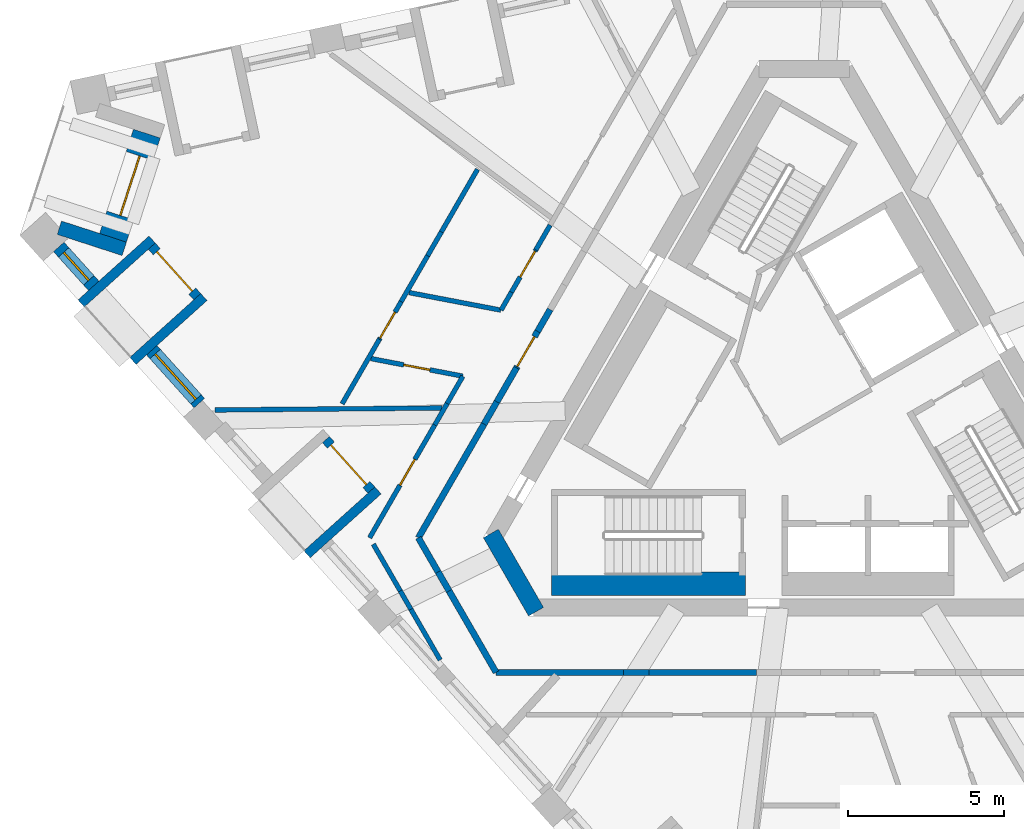
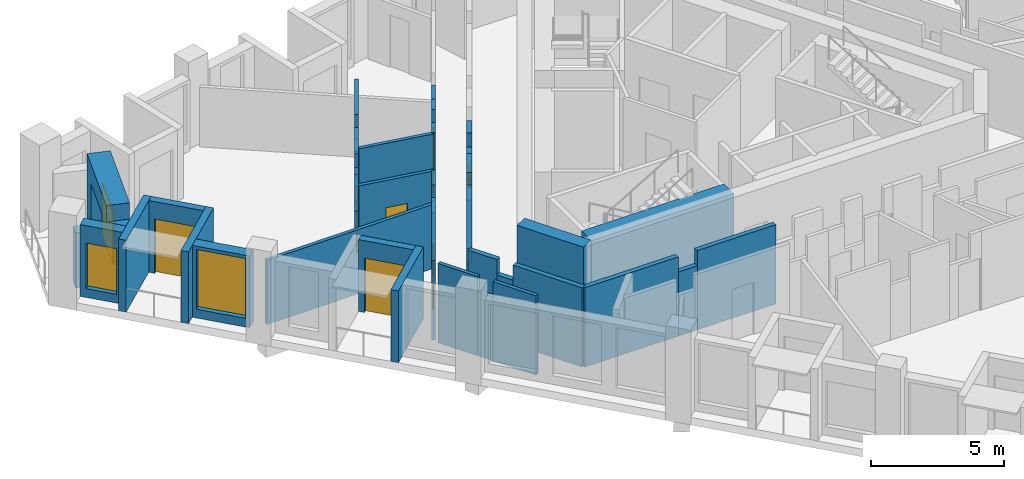
# One storey, part 3 of 12: 39 walls, 8 doors, 2 windows, 10 openings.
"""IFC4 building model written with IfcOpenShell, lengths in metres."""

from ifc_helpers import new_model, si_unit, direction, frame, frame_2d, origin, place, context, subcontext, project, spatial, polyline, rectangle, outline, extrude, material, layer, layer_set, type_object, element, fill, save


model = new_model("IFC4")

# Units and contexts
model_context = context("Model", 3, precision=1e-05, world=origin(), true_north=direction((0.0, 1.0)))
body_context = subcontext(model_context, "Body", "Model", "MODEL_VIEW")
ifc_project = project(units=[si_unit("LENGTHUNIT", "METRE"), si_unit("AREAUNIT", "SQUARE_METRE"), si_unit("VOLUMEUNIT", "CUBIC_METRE"), si_unit("PLANEANGLEUNIT", "RADIAN"), si_unit("MASSUNIT", "GRAM", prefix="KILO")], contexts=[model_context])

# Site, building, storey
site_placement = place(None, origin())
site = spatial("IfcSite", under=ifc_project, at=site_placement, CompositionType="ELEMENT")
building_placement = place(site_placement, origin())
building = spatial("IfcBuilding", under=site, at=building_placement, Name="Tramontana Tower", CompositionType="ELEMENT")
storey_placement = place(building_placement, frame((0.0, 0.0, 320.39990234375)))
storey = spatial("IfcBuildingStorey", under=building, at=storey_placement, Name="L73", CompositionType="ELEMENT", Elevation=320.39990234375)

# Walls
ifc_material_1 = material(Name="Concrete 70 MPa", Category="concrete")
ifc_layer_1 = layer(ifc_material_1, 0.550048828125)
ifc_layer_set_1 = layer_set([ifc_layer_1], Name="Core wall 550 70 MPa")
wall_type_1 = type_object("IfcWallType", Name="Core wall 550 70 MPa", PredefinedType="SHEAR", material=ifc_layer_set_1)
wall_1_placement = place(storey_placement, frame((-10.009765625, -4.112548828125, 0.0), z_axis=(0.0, 0.0, 1.0), x_axis=(0.499995765644, -0.866027848477, 0.0)))
element("IfcWall", 1, at=wall_1_placement, inside=storey, type_object=wall_type_1, Name="Core wall C2 L73", PredefinedType="SHEAR", context=body_context, shape_type="SweptSolid", body=[
    extrude(rectangle(XDim=2.88671875, YDim=0.550048828125, at=frame_2d((1.443359375, 0.0))), origin(), (0.0, 0.0, 1.0), 4.0),
])
ifc_material_2 = material(Name="Blockwork", Category="masonry")
ifc_layer_2 = layer(ifc_material_2, 0.199951171875)
ifc_layer_set_2 = layer_set([ifc_layer_2], Name="ENTRY WALL 200")
wall_type_2 = type_object("IfcWallType", Name="ENTRY WALL 200", PredefinedType="SOLIDWALL", material=ifc_layer_set_2)
wall_2_placement = place(storey_placement, frame((-1.528564453125, -8.550048828125, 0.0), z_axis=(0.0, 0.0, 1.0), x_axis=(-1.0, 0.0, 0.0)))
element("IfcWall", 2, at=wall_2_placement, inside=storey, type_object=wall_type_2, Name="Wall v80-ew1-8", PredefinedType="SOLIDWALL", context=body_context, shape_type="SweptSolid", body=[
    extrude(rectangle(XDim=3.423095703125, YDim=0.199951171875, at=frame_2d((1.71142578125, 0.0))), origin(), (0.0, 0.0, 1.0), 3.650146484375),
])
wall_3_placement = place(storey_placement, frame((-4.95166015625, -8.550048828125, 0.0), z_axis=(0.0, 0.0, 1.0), x_axis=(-1.0, 0.0, 0.0)))
element("IfcWall", 3, at=wall_3_placement, inside=storey, type_object=wall_type_2, Name="Wall v80-ew1-9", PredefinedType="SOLIDWALL", context=body_context, shape_type="SweptSolid", body=[
    extrude(rectangle(XDim=0.826416015625, YDim=0.199951171875, at=frame_2d((0.4130859375, 0.0))), origin(), (0.0, 0.0, 1.0), 2.9501953125),
])
wall_4_placement = place(storey_placement, frame((-5.778076171875, -8.550048828125, 0.0), z_axis=(0.0, 0.0, 1.0), x_axis=(-1.0, 0.0, 0.0)))
element("IfcWall", 4, at=wall_4_placement, inside=storey, type_object=wall_type_2, Name="Wall v80-ew1-10", PredefinedType="SOLIDWALL", context=body_context, shape_type="SweptSolid", body=[
    extrude(rectangle(XDim=4.065673828125, YDim=0.199951171875, at=frame_2d((2.03271484375, 0.0))), origin(), (0.0, 0.0, 1.0), 3.650146484375),
])
wall_5_placement = place(storey_placement, frame((-9.84375, -8.550048828125, 0.0), z_axis=(0.0, 0.0, 1.0), x_axis=(-0.500003959331, 0.866023117852, 0.0)))
element("IfcWall", 5, at=wall_5_placement, inside=storey, type_object=wall_type_2, Name="Wall v80-ew2-0", PredefinedType="SOLIDWALL", context=body_context, shape_type="SweptSolid", body=[
    extrude(rectangle(XDim=3.0029296875, YDim=0.199951171875, at=frame_2d((1.50146484375, 0.0))), origin(), (0.0, 0.0, 1.0), 3.650146484375),
])
wall_6_placement = place(storey_placement, frame((-11.34521484375, -5.949462890625, 0.0), z_axis=(0.0, 0.0, 1.0), x_axis=(-0.499993523031, 0.866029143232, 0.0)))
element("IfcWall", 6, at=wall_6_placement, inside=storey, type_object=wall_type_2, Name="Wall v80-ew2-1", PredefinedType="SOLIDWALL", context=body_context, shape_type="SweptSolid", body=[
    extrude(rectangle(XDim=0.70166015625, YDim=0.199951171875, at=frame_2d((0.350830078125, 0.0))), origin(), (0.0, 0.0, 1.0), 2.9501953125),
])
wall_7_placement = place(storey_placement, frame((-11.696044921875, -5.341796875, 0.0), z_axis=(0.0, 0.0, 1.0), x_axis=(-0.500013012896, 0.866017890655, 0.0)))
element("IfcWall", 7, at=wall_7_placement, inside=storey, type_object=wall_type_2, Name="Wall v80-ew2-2", PredefinedType="SOLIDWALL", context=body_context, shape_type="SweptSolid", body=[
    extrude(rectangle(XDim=1.2607421875, YDim=0.199951171875, at=frame_2d((0.63037109375, 0.0))), origin(), (0.0, 0.0, 1.0), 3.650146484375),
])
wall_8_placement = place(storey_placement, frame((-12.326416015625, -4.25, 0.0), z_axis=(0.0, 0.0, 1.0), x_axis=(0.499982771656, 0.866035350345, 0.0)))
element("IfcWall", 8, at=wall_8_placement, inside=storey, type_object=wall_type_2, Name="Wall v80-ew3-0", PredefinedType="SOLIDWALL", context=body_context, shape_type="SweptSolid", body=[
    extrude(rectangle(XDim=4.194580078125, YDim=0.199951171875, at=frame_2d((2.09716796875, 0.0))), origin(), (0.0, 0.0, 1.0), 3.650146484375),
])
wall_9_placement = place(storey_placement, frame((-10.229248046875, -0.617431640625, 0.0), z_axis=(0.0, 0.0, 1.0), x_axis=(0.5001686003, 0.865928040471, 0.0)))
element("IfcWall", 9, at=wall_9_placement, inside=storey, type_object=wall_type_2, Name="Wall v80-ew3-1", PredefinedType="SOLIDWALL", context=body_context, shape_type="SweptSolid", body=[
    extrude(rectangle(XDim=0.821044921875, YDim=0.199951171875, at=frame_2d((0.41064453125, 0.0))), origin(), (0.0, 0.0, 1.0), 2.9501953125),
])
wall_10_placement = place(storey_placement, frame((-9.818603515625, 0.093505859375, 0.0), z_axis=(0.0, 0.0, 1.0), x_axis=(0.499969537666, 0.866042990507, 0.0)))
element("IfcWall", 10, at=wall_10_placement, inside=storey, type_object=wall_type_2, Name="Wall v80-ew3-2", PredefinedType="SOLIDWALL", context=body_context, shape_type="SweptSolid", body=[
    extrude(rectangle(XDim=1.25439453125, YDim=0.199951171875, at=frame_2d((0.627197265625, 0.0))), origin(), (0.0, 0.0, 1.0), 3.650146484375),
])

# Wall, opening, door
wall_11_placement = place(storey_placement, frame((-9.19140625, 1.179931640625, 0.0), z_axis=(0.0, 0.0, 1.0), x_axis=(0.500005339912, 0.866022320763, 0.0)))
wall_11 = element("IfcWall", 11, at=wall_11_placement, inside=storey, type_object=wall_type_2, Name="Wall v80-ew3-3", PredefinedType="SOLIDWALL", context=body_context, shape_type="SweptSolid", body=[
    extrude(outline(polyline([(0.0, 0.0), (1.3447265625, 0.0), (1.3447265625, 2.550048828125), (0.40087890625, 2.550048828125), (0.40087890625, 3.650146484375), (0.0, 3.650146484375), (0.0, 0.0)])), frame((0.0, 0.10009765625, 0.0), z_axis=(0.0, -1.0, 0.0), x_axis=(1.0, 0.0, 0.0)), (0.0, 0.0, 1.0), 0.199951171875),
])
opening_1_placement = place(wall_11_placement, frame((0.050048828125, 0.0, 0.0)))
opening_1 = element("IfcOpeningElement", 12, at=opening_1_placement, cuts=wall_11, Name="Opening B8A-19", PredefinedType="OPENING", context=body_context, shape_type="SweptSolid", body=[
    extrude(rectangle(XDim=1.10009765625, YDim=2.39990234375, at=frame_2d((0.550048828125, 1.199951171875))), frame((0.0, 0.10986328125, 0.0), z_axis=(0.0, -1.0, 0.0), x_axis=(1.0, 0.0, 0.0)), (0.0, 0.0, 1.0), 0.219970703125),
])
ifc_material_3 = material(Name="Painted timber", Category="wood")
door_type_1 = type_object("IfcDoorType", Name="DOOR ENTRY 1100", OperationType="SINGLE_SWING_LEFT", PredefinedType="DOOR", material=ifc_material_3)
door_1_placement = place(opening_1_placement, origin())
door_1 = element("IfcDoor", 13, at=door_1_placement, inside=storey, type_object=door_type_1, Name="Door B8A-19", OperationType="SINGLE_SWING_LEFT", OverallHeight=2.39990234375, OverallWidth=1.10009765625, PredefinedType="DOOR", context=body_context, shape_type="SweptSolid", body=[
    extrude(rectangle(XDim=1.10009765625, YDim=2.39990234375, at=frame_2d((0.550048828125, 1.199951171875))), frame((0.0, 0.02490234375, 0.0), z_axis=(0.0, -1.0, 0.0), x_axis=(1.0, 0.0, 0.0)), (0.0, 0.0, 1.0), 0.050048828125),
])
fill(opening_1, door_1)

# Wall
wall_12_placement = place(storey_placement, frame((-8.51904296875, 2.344482421875, 0.0), z_axis=(0.0, 0.0, 1.0), x_axis=(0.499914554297, 0.866074730264, 0.0)))
element("IfcWall", 14, at=wall_12_placement, inside=storey, type_object=wall_type_2, Name="Wall v80-ew3-4", PredefinedType="SOLIDWALL", context=body_context, shape_type="SweptSolid", body=[
    extrude(rectangle(XDim=0.806884765625, YDim=0.199951171875, at=frame_2d((0.4033203125, 0.0))), origin(), (0.0, 0.0, 1.0), 3.650146484375),
])

# Wall, opening, window
ifc_material_4 = material(Name="Precast concrete 60 MPa", Category="concrete")
ifc_layer_3 = layer(ifc_material_4, 0.449951171875)
ifc_layer_set_3 = layer_set([ifc_layer_3], Name="Precast concrete 60 MPa, 450 mm")
wall_type_3 = type_object("IfcWallType", Name="EW1 Stone-faced precast wall 450", PredefinedType="SOLIDWALL", material=ifc_layer_set_3)
wall_13_placement = place(storey_placement, frame((-23.817138671875, 5.043212890625, 0.0), z_axis=(0.0, 0.0, 1.0), x_axis=(0.669182609054, -0.743097998746, 0.0)))
wall_13 = element("IfcWall", 15, at=wall_13_placement, inside=storey, type_object=wall_type_3, Name="External wall L73 face 0 bay 1", PredefinedType="SOLIDWALL", context=body_context, shape_type="SweptSolid", body=[
    extrude(rectangle(XDim=1.67138671875, YDim=0.449951171875, at=frame_2d((0.835693359375, 0.0))), origin(), (0.0, 0.0, 1.0), 3.300048828125),
])
opening_2_placement = place(wall_13_placement, frame((0.235595703125, 0.0, 0.39990234375)))
opening_2 = element("IfcOpeningElement", 16, at=opening_2_placement, cuts=wall_13, Name="Opening N3L", PredefinedType="OPENING", context=body_context, shape_type="SweptSolid", body=[
    extrude(rectangle(XDim=1.199951171875, YDim=2.10009765625, at=frame_2d((0.60009765625, 1.050048828125))), frame((0.0, 0.23486328125, 0.0), z_axis=(0.0, -1.0, 0.0), x_axis=(1.0, 0.0, 0.0)), (0.0, 0.0, 1.0), 0.469970703125),
])
ifc_material_5 = material(Name="Aluminum frame, double glazing unit", Category="aluminium")
window_type_1 = type_object("IfcWindowType", Name="N3L Window 1.2 x 2.1", PartitioningType="SINGLE_PANEL", PredefinedType="WINDOW", material=ifc_material_5)
window_1_placement = place(opening_2_placement, origin())
window_1 = element("IfcWindow", 17, at=window_1_placement, inside=storey, type_object=window_type_1, Name="Window N3L L73 face 0 module 1", OverallHeight=2.10009765625, OverallWidth=1.199951171875, PartitioningType="SINGLE_PANEL", PredefinedType="WINDOW", context=body_context, shape_type="SweptSolid", body=[
    extrude(rectangle(XDim=1.199951171875, YDim=2.10009765625, at=frame_2d((0.60009765625, 1.050048828125))), frame((0.0, 0.030029296875, 0.0), z_axis=(0.0, -1.0, 0.0), x_axis=(1.0, 0.0, 0.0)), (0.0, 0.0, 1.0), 0.06005859375),
])
fill(opening_2, window_1)

wall_14_placement = place(storey_placement, frame((-20.844482421875, 1.74169921875, 0.0), z_axis=(0.0, 0.0, 1.0), x_axis=(0.669160694992, -0.743117732447, 0.0)))
wall_14 = element("IfcWall", 18, at=wall_14_placement, inside=storey, type_object=wall_type_3, Name="External wall L73 face 0 bay 1", PredefinedType="SOLIDWALL", context=body_context, shape_type="SweptSolid", body=[
    extrude(rectangle(XDim=2.271240234375, YDim=0.449951171875, at=frame_2d((1.1357421875, 0.0))), origin(), (0.0, 0.0, 1.0), 3.300048828125),
])
opening_3_placement = place(wall_14_placement, frame((0.16064453125, 0.0, 0.39990234375)))
opening_3 = element("IfcOpeningElement", 19, at=opening_3_placement, cuts=wall_14, Name="Opening M3", PredefinedType="OPENING", context=body_context, shape_type="SweptSolid", body=[
    extrude(rectangle(XDim=1.949951171875, YDim=2.75, at=frame_2d((0.97509765625, 1.375))), frame((0.0, 0.23486328125, 0.0), z_axis=(0.0, -1.0, 0.0), x_axis=(1.0, 0.0, 0.0)), (0.0, 0.0, 1.0), 0.469970703125),
])
ifc_material_6 = material(Name="Aluminum frame, double glazing unit", Category="aluminium")
window_type_2 = type_object("IfcWindowType", Name="M3 Window 1.95 x 2.75", PartitioningType="SINGLE_PANEL", PredefinedType="WINDOW", material=ifc_material_6)
window_2_placement = place(opening_3_placement, origin())
window_2 = element("IfcWindow", 20, at=window_2_placement, inside=storey, type_object=window_type_2, Name="Window M3 L73 face 0 module 3", OverallHeight=2.75, OverallWidth=1.949951171875, PartitioningType="SINGLE_PANEL", PredefinedType="WINDOW", context=body_context, shape_type="SweptSolid", body=[
    extrude(rectangle(XDim=1.949951171875, YDim=2.75, at=frame_2d((0.97509765625, 1.375))), frame((0.0, 0.030029296875, 0.0), z_axis=(0.0, -1.0, 0.0), x_axis=(1.0, 0.0, 0.0)), (0.0, 0.0, 1.0), 0.06005859375),
])
fill(opening_3, window_2)

# Wall
wall_15_placement = place(storey_placement, frame((-23.79638671875, 5.6552734375, 0.0), z_axis=(0.0, 0.0, 1.0), x_axis=(0.951064526973, -0.308992338955, 0.0)))
element("IfcWall", 21, at=wall_15_placement, inside=storey, type_object=wall_type_3, Name="Corner loggia side wall L73 K80l", PredefinedType="SOLIDWALL", context=body_context, shape_type="SweptSolid", body=[
    extrude(rectangle(XDim=2.17919921875, YDim=0.449951171875, at=frame_2d((1.089599609375, 0.0))), origin(), (0.0, 0.0, 1.0), 2.550048828125),
])

# Wall, opening, door
ifc_material_7 = material(Name="Precast concrete 60 MPa", Category="concrete")
ifc_layer_4 = layer(ifc_material_7, 0.89990234375)
ifc_layer_set_4 = layer_set([ifc_layer_4], Name="EW2 Stone-faced corner loggia wall 900")
wall_type_4 = type_object("IfcWallType", Name="EW2 Stone-faced corner loggia wall 900", PredefinedType="SOLIDWALL", material=ifc_layer_set_4)
wall_16_placement = place(storey_placement, frame((-22.082275390625, 5.3349609375, 0.0), z_axis=(0.0, 0.0, 1.0), x_axis=(0.309019824916, 0.951055596592, 0.0)))
wall_16 = element("IfcWall", 22, at=wall_16_placement, inside=storey, type_object=wall_type_4, Name="Corner loggia wall L73 K80", PredefinedType="SOLIDWALL", context=body_context, shape_type="SweptSolid", body=[
    extrude(rectangle(XDim=3.5, YDim=0.89990234375, at=frame_2d((1.75, 0.0))), origin(), (0.0, 0.0, 1.0), 3.300048828125),
])
opening_4_placement = place(wall_16_placement, frame((0.75, 0.0, 0.0)))
opening_4 = element("IfcOpeningElement", 23, at=opening_4_placement, cuts=wall_16, Name="Opening BD-80C", PredefinedType="OPENING", context=body_context, shape_type="SweptSolid", body=[
    extrude(rectangle(XDim=2.0, YDim=2.39990234375, at=frame_2d((1.0, 1.199951171875))), frame((0.0, 0.4599609375, 0.0), z_axis=(0.0, -1.0, 0.0), x_axis=(1.0, 0.0, 0.0)), (0.0, 0.0, 1.0), 0.919921875),
])
ifc_material_8 = material(Name="Aluminum frame, double glazing unit", Category="aluminium")
door_type_2 = type_object("IfcDoorType", Name="BC1 Sliding door 2 x 2.4", OperationType="SLIDING_TO_LEFT", PredefinedType="DOOR", material=ifc_material_8)
door_2_placement = place(opening_4_placement, origin())
door_2 = element("IfcDoor", 24, at=door_2_placement, inside=storey, type_object=door_type_2, Name="Corner loggia door L73 K80", OperationType="SLIDING_TO_LEFT", OverallHeight=2.39990234375, OverallWidth=2.0, PredefinedType="DOOR", context=body_context, shape_type="SweptSolid", body=[
    extrude(rectangle(XDim=2.0, YDim=2.39990234375, at=frame_2d((1.0, 1.199951171875))), frame((0.0, 0.02490234375, 0.0), z_axis=(0.0, -1.0, 0.0), x_axis=(1.0, 0.0, 0.0)), (0.0, 0.0, 1.0), 0.050048828125),
])
fill(opening_4, door_2)

ifc_material_9 = material(Name="Precast concrete 60 MPa", Category="concrete")
ifc_layer_5 = layer(ifc_material_9, 0.300048828125)
ifc_layer_set_5 = layer_set([ifc_layer_5], Name="LW1 Stone-faced loggia wall 300")
wall_type_5 = type_object("IfcWallType", Name="LW1 Stone-faced loggia wall 300", PredefinedType="SOLIDWALL", material=ifc_layer_set_5)
wall_17_placement = place(storey_placement, frame((-20.844482421875, 5.067138671875, 0.0), z_axis=(0.0, 0.0, 1.0), x_axis=(0.669144868344, -0.743131983681, 0.0)))
wall_17 = element("IfcWall", 25, at=wall_17_placement, inside=storey, type_object=wall_type_5, Name="Loggia wall L73 G8S0.1", PredefinedType="SOLIDWALL", context=body_context, shape_type="SweptSolid", body=[
    extrude(rectangle(XDim=2.171142578125, YDim=0.300048828125, at=frame_2d((1.08544921875, 0.0))), origin(), (0.0, 0.0, 1.0), 3.300048828125),
])
opening_5_placement = place(wall_17_placement, frame((0.235595703125, 0.0, 0.0)))
opening_5 = element("IfcOpeningElement", 26, at=opening_5_placement, cuts=wall_17, Name="Opening BD-8S0-01", PredefinedType="OPENING", context=body_context, shape_type="SweptSolid", body=[
    extrude(rectangle(XDim=1.699951171875, YDim=2.5, at=frame_2d((0.85009765625, 1.25))), frame((0.0, 0.159912109375, 0.0), z_axis=(0.0, -1.0, 0.0), x_axis=(1.0, 0.0, 0.0)), (0.0, 0.0, 1.0), 0.320068359375),
])
ifc_material_10 = material(Name="Aluminum frame, double glazing unit", Category="aluminium")
door_type_3 = type_object("IfcDoorType", Name="BD3 Sliding door 1.7 x 2.5", OperationType="SLIDING_TO_LEFT", PredefinedType="DOOR", material=ifc_material_10)
door_3_placement = place(opening_5_placement, origin())
door_3 = element("IfcDoor", 27, at=door_3_placement, inside=storey, type_object=door_type_3, Name="Loggia door L73 G8S0.1", OperationType="SLIDING_TO_LEFT", OverallHeight=2.5, OverallWidth=1.699951171875, PredefinedType="DOOR", context=body_context, shape_type="SweptSolid", body=[
    extrude(rectangle(XDim=1.699951171875, YDim=2.5, at=frame_2d((0.85009765625, 1.25))), frame((0.0, 0.02490234375, 0.0), z_axis=(0.0, -1.0, 0.0), x_axis=(1.0, 0.0, 0.0)), (0.0, 0.0, 1.0), 0.050048828125),
])
fill(opening_5, door_3)

# Walls
for number, where, z_axis, x_axis, name in (
    (28, (-23.10009765625, 3.238037109375, 0.0), (0.0, 0.0, 1.0), (0.743158802514, 0.669115082961, 0.0), "Loggia return L73 G8S0.1a"),
    (29, (-21.446533203125, 1.401611328125, 0.0), (0.0, 0.0, 1.0), (0.743158802514, 0.669115082961, 0.0), "Loggia return L73 G8S0.1b"),
):
    element("IfcWall", number, at=place(storey_placement, frame(where, z_axis=z_axis, x_axis=x_axis)), inside=storey, type_object=wall_type_5, Name=name, PredefinedType="SOLIDWALL", context=body_context, shape_type="SweptSolid", body=[
        extrude(rectangle(XDim=3.050048828125, YDim=0.300048828125, at=frame_2d((1.52490234375, 0.0))), origin(), (0.0, 0.0, 1.0), 3.300048828125),
    ])

# Wall, opening, door
wall_18_placement = place(storey_placement, frame((-15.281494140625, -1.111328125, 0.0), z_axis=(0.0, 0.0, 1.0), x_axis=(0.669144868344, -0.743131983681, 0.0)))
wall_18 = element("IfcWall", 30, at=wall_18_placement, inside=storey, type_object=wall_type_5, Name="Loggia wall L73 G8S0.4", PredefinedType="SOLIDWALL", context=body_context, shape_type="SweptSolid", body=[
    extrude(rectangle(XDim=2.171142578125, YDim=0.300048828125, at=frame_2d((1.08544921875, 0.0))), origin(), (0.0, 0.0, 1.0), 3.300048828125),
])
opening_6_placement = place(wall_18_placement, frame((0.235595703125, 0.0, 0.0)))
opening_6 = element("IfcOpeningElement", 31, at=opening_6_placement, cuts=wall_18, Name="Opening BD-8S0-04", PredefinedType="OPENING", context=body_context, shape_type="SweptSolid", body=[
    extrude(rectangle(XDim=1.699951171875, YDim=2.5, at=frame_2d((0.85009765625, 1.25))), frame((0.0, 0.159912109375, 0.0), z_axis=(0.0, -1.0, 0.0), x_axis=(1.0, 0.0, 0.0)), (0.0, 0.0, 1.0), 0.320068359375),
])
door_4_placement = place(opening_6_placement, origin())
door_4 = element("IfcDoor", 32, at=door_4_placement, inside=storey, type_object=door_type_3, Name="Loggia door L73 G8S0.4", OperationType="SLIDING_TO_LEFT", OverallHeight=2.5, OverallWidth=1.699951171875, PredefinedType="DOOR", context=body_context, shape_type="SweptSolid", body=[
    extrude(rectangle(XDim=1.699951171875, YDim=2.5, at=frame_2d((0.85009765625, 1.25))), frame((0.0, 0.02490234375, 0.0), z_axis=(0.0, -1.0, 0.0), x_axis=(1.0, 0.0, 0.0)), (0.0, 0.0, 1.0), 0.050048828125),
])
fill(opening_6, door_4)

# Walls
wall_19_placement = place(storey_placement, frame((-15.88330078125, -4.77685546875, 0.0), z_axis=(0.0, 0.0, 1.0), x_axis=(0.743122960955, 0.669154888573, 0.0)))
element("IfcWall", 33, at=wall_19_placement, inside=storey, type_object=wall_type_5, Name="Loggia return L73 G8S0.4b", PredefinedType="SOLIDWALL", context=body_context, shape_type="SweptSolid", body=[
    extrude(rectangle(XDim=3.0498046875, YDim=0.300048828125, at=frame_2d((1.52490234375, 0.0))), origin(), (0.0, 0.0, 1.0), 3.300048828125),
])
ifc_material_11 = material(Name="Gypsum board partition")
ifc_layer_6 = layer(ifc_material_11, 0.14990234375)
ifc_layer_set_6 = layer_set([ifc_layer_6], Name="PARTITION 150")
wall_type_6 = type_object("IfcWallType", Name="PARTITION 150", PredefinedType="PARTITIONING", material=ifc_layer_set_6)
wall_20_placement = place(storey_placement, frame((-14.76318359375, 0.029541015625, 0.0), z_axis=(0.0, 0.0, 1.0), x_axis=(0.500045118629, 0.865999352965, 0.0)))
element("IfcWall", 34, at=wall_20_placement, inside=storey, type_object=wall_type_6, Name="Wall v80-pw01-0", PredefinedType="PARTITIONING", context=body_context, shape_type="SweptSolid", body=[
    extrude(rectangle(XDim=2.379638671875, YDim=0.14990234375, at=frame_2d((1.18994140625, 0.0))), origin(), (0.0, 0.0, 1.0), 3.650146484375),
])

# Wall, opening, door
wall_21_placement = place(storey_placement, frame((-13.5732421875, 2.09033203125, 0.0), z_axis=(0.0, 0.0, 1.0), x_axis=(0.500026194733, 0.86601027972, 0.0)))
wall_21 = element("IfcWall", 35, at=wall_21_placement, inside=storey, type_object=wall_type_6, Name="Wall v80-pw01-1", PredefinedType="PARTITIONING", context=body_context, shape_type="SweptSolid", body=[
    extrude(outline(polyline([(0.0, 0.0), (1.3916015625, 0.0), (1.3916015625, 2.550048828125), (0.47412109375, 2.550048828125), (0.47412109375, 3.650146484375), (0.0, 3.650146484375), (0.0, 0.0)])), frame((0.0, 0.074951171875, 0.0), z_axis=(0.0, -1.0, 0.0), x_axis=(1.0, 0.0, 0.0)), (0.0, 0.0, 1.0), 0.14990234375),
])
opening_7_placement = place(wall_21_placement, frame((0.050048828125, 0.0, 0.0)))
opening_7 = element("IfcOpeningElement", 36, at=opening_7_placement, cuts=wall_21, Name="Opening B8A-03", PredefinedType="OPENING", context=body_context, shape_type="SweptSolid", body=[
    extrude(rectangle(XDim=0.949951171875, YDim=2.39990234375, at=frame_2d((0.47509765625, 1.199951171875))), frame((0.0, 0.0849609375, 0.0), z_axis=(0.0, -1.0, 0.0), x_axis=(1.0, 0.0, 0.0)), (0.0, 0.0, 1.0), 0.169921875),
])
ifc_material_12 = material(Name="Painted timber", Category="wood")
door_type_4 = type_object("IfcDoorType", Name="DOOR ROOM 950", OperationType="SINGLE_SWING_LEFT", PredefinedType="DOOR", material=ifc_material_12)
door_5_placement = place(opening_7_placement, origin())
door_5 = element("IfcDoor", 37, at=door_5_placement, inside=storey, type_object=door_type_4, Name="Door B8A-03", OperationType="SINGLE_SWING_LEFT", OverallHeight=2.39990234375, OverallWidth=0.949951171875, PredefinedType="DOOR", context=body_context, shape_type="SweptSolid", body=[
    extrude(rectangle(XDim=0.949951171875, YDim=2.39990234375, at=frame_2d((0.47509765625, 1.199951171875))), frame((0.0, 0.02490234375, 0.0), z_axis=(0.0, -1.0, 0.0), x_axis=(1.0, 0.0, 0.0)), (0.0, 0.0, 1.0), 0.050048828125),
])
fill(opening_7, door_5)

# Walls
wall_22_placement = place(storey_placement, frame((-12.87744140625, 3.29541015625, 0.0), z_axis=(0.0, 0.0, 1.0), x_axis=(0.499876388284, 0.86609675928, 0.0)))
element("IfcWall", 38, at=wall_22_placement, inside=storey, type_object=wall_type_6, Name="Wall v80-pw01-2", PredefinedType="PARTITIONING", context=body_context, shape_type="SweptSolid", body=[
    extrude(rectangle(XDim=1.693359375, YDim=0.14990234375, at=frame_2d((0.8466796875, 0.0))), origin(), (0.0, 0.0, 1.0), 3.650146484375),
])
wall_23_placement = place(storey_placement, frame((-12.031005859375, 4.761962890625, 0.0), z_axis=(0.0, 0.0, 1.0), x_axis=(0.50019444547, 0.865913111531, 0.0)))
element("IfcWall", 39, at=wall_23_placement, inside=storey, type_object=wall_type_6, Name="Wall v80-pw01-3", PredefinedType="PARTITIONING", context=body_context, shape_type="SweptSolid", body=[
    extrude(rectangle(XDim=0.880615234375, YDim=0.14990234375, at=frame_2d((0.4404296875, 0.0))), origin(), (0.0, 0.0, 1.0), 2.550048828125),
])
wall_24_placement = place(storey_placement, frame((-11.590576171875, 5.5244140625, 0.0), z_axis=(0.0, 0.0, 1.0), x_axis=(0.500012835235, 0.866017993231, 0.0)))
element("IfcWall", 40, at=wall_24_placement, inside=storey, type_object=wall_type_6, Name="Wall v80-pw01-4", PredefinedType="PARTITIONING", context=body_context, shape_type="SweptSolid", body=[
    extrude(rectangle(XDim=2.3046875, YDim=0.14990234375, at=frame_2d((1.15234375, 0.0))), origin(), (0.0, 0.0, 1.0), 3.650146484375),
])

# Wall, opening, door
wall_25_placement = place(storey_placement, frame((-13.88525390625, -4.25, 0.0), z_axis=(0.0, 0.0, 1.0), x_axis=(0.499988236992, 0.866032195053, 0.0)))
wall_25 = element("IfcWall", 41, at=wall_25_placement, inside=storey, type_object=wall_type_6, Name="Wall v80-pw02-0", PredefinedType="PARTITIONING", context=body_context, shape_type="SweptSolid", body=[
    extrude(rectangle(XDim=4.1611328125, YDim=0.14990234375, at=frame_2d((2.08056640625, 0.0))), origin(), (0.0, 0.0, 1.0), 3.650146484375),
])
opening_8_placement = place(wall_25_placement, frame((1.94140625, 0.0, 0.0)))
opening_8 = element("IfcOpeningElement", 42, at=opening_8_placement, cuts=wall_25, Name="Opening B8A-05", PredefinedType="OPENING", context=body_context, shape_type="SweptSolid", body=[
    extrude(rectangle(XDim=0.949951171875, YDim=2.39990234375, at=frame_2d((0.47509765625, 1.199951171875))), frame((0.0, 0.0849609375, 0.0), z_axis=(0.0, -1.0, 0.0), x_axis=(1.0, 0.0, 0.0)), (0.0, 0.0, 1.0), 0.169921875),
])
door_6_placement = place(opening_8_placement, origin())
door_6 = element("IfcDoor", 43, at=door_6_placement, inside=storey, type_object=door_type_4, Name="Door B8A-05", OperationType="SINGLE_SWING_LEFT", OverallHeight=2.39990234375, OverallWidth=0.949951171875, PredefinedType="DOOR", context=body_context, shape_type="SweptSolid", body=[
    extrude(rectangle(XDim=0.949951171875, YDim=2.39990234375, at=frame_2d((0.47509765625, 1.199951171875))), frame((0.0, 0.02490234375, 0.0), z_axis=(0.0, -1.0, 0.0), x_axis=(1.0, 0.0, 0.0)), (0.0, 0.0, 1.0), 0.050048828125),
])
fill(opening_8, door_6)

# Walls
wall_26_placement = place(storey_placement, frame((-11.8046875, -0.646240234375, 0.0), z_axis=(0.0, 0.0, 1.0), x_axis=(0.500185116612, 0.865918500276, 0.0)))
element("IfcWall", 44, at=wall_26_placement, inside=storey, type_object=wall_type_6, Name="Wall v80-pw02-1", PredefinedType="PARTITIONING", context=body_context, shape_type="SweptSolid", body=[
    extrude(rectangle(XDim=0.791748046875, YDim=0.14990234375, at=frame_2d((0.39599609375, 0.0))), origin(), (0.0, 0.0, 1.0), 2.9501953125),
])
wall_27_placement = place(storey_placement, frame((-11.40869140625, 0.039306640625, 0.0), z_axis=(0.0, 0.0, 1.0), x_axis=(0.49984860601, 0.866112793503, 0.0)))
element("IfcWall", 45, at=wall_27_placement, inside=storey, type_object=wall_type_6, Name="Wall v80-pw02-2", PredefinedType="PARTITIONING", context=body_context, shape_type="SweptSolid", body=[
    extrude(rectangle(XDim=1.005126953125, YDim=0.14990234375, at=frame_2d((0.50244140625, 0.0))), origin(), (0.0, 0.0, 1.0), 3.650146484375),
])
wall_28_placement = place(storey_placement, frame((-12.624267578125, 3.583984375, 0.0), z_axis=(0.0, 0.0, 1.0), x_axis=(0.982222548554, -0.187720177693, 0.0)))
element("IfcWall", 46, at=wall_28_placement, inside=storey, type_object=wall_type_6, Name="Wall v80-pw03", PredefinedType="PARTITIONING", context=body_context, shape_type="SweptSolid", body=[
    extrude(rectangle(XDim=2.98876953125, YDim=0.14990234375, at=frame_2d((1.494384765625, 0.0))), origin(), (0.0, 0.0, 1.0), 3.650146484375),
])
wall_29_placement = place(storey_placement, frame((-11.630859375, -8.154541015625, 0.0), z_axis=(0.0, 0.0, 1.0), x_axis=(-0.50011020776, 0.865961765954, 0.0)))
element("IfcWall", 47, at=wall_29_placement, inside=storey, type_object=wall_type_6, Name="Wall v80-pw04-0", PredefinedType="PARTITIONING", context=body_context, shape_type="SweptSolid", body=[
    extrude(rectangle(XDim=1.87109375, YDim=0.14990234375, at=frame_2d((0.935546875, 0.0))), origin(), (0.0, 0.0, 1.0), 3.650146484375),
])
wall_30_placement = place(storey_placement, frame((-12.566650390625, -6.5341796875, 0.0), z_axis=(0.0, 0.0, 1.0), x_axis=(-0.499826590014, 0.866125498941, 0.0)))
element("IfcWall", 48, at=wall_30_placement, inside=storey, type_object=wall_type_6, Name="Wall v80-pw04-1", PredefinedType="PARTITIONING", context=body_context, shape_type="SweptSolid", body=[
    extrude(rectangle(XDim=0.676513671875, YDim=0.14990234375, at=frame_2d((0.33837890625, 0.0))), origin(), (0.0, 0.0, 1.0), 2.9501953125),
])
wall_31_placement = place(storey_placement, frame((-12.90478515625, -5.9482421875, 0.0), z_axis=(0.0, 0.0, 1.0), x_axis=(-0.499992114976, 0.866029956157, 0.0)))
element("IfcWall", 49, at=wall_31_placement, inside=storey, type_object=wall_type_6, Name="Wall v80-pw04-2", PredefinedType="PARTITIONING", context=body_context, shape_type="SweptSolid", body=[
    extrude(rectangle(XDim=1.72412109375, YDim=0.14990234375, at=frame_2d((0.862060546875, 0.0))), origin(), (0.0, 0.0, 1.0), 3.650146484375),
])
wall_32_placement = place(storey_placement, frame((-11.577392578125, -0.102783203125, 0.0), z_axis=(0.0, 0.0, 1.0), x_axis=(-0.999960434916, -0.008895425913, 0.0)))
element("IfcWall", 50, at=wall_32_placement, inside=storey, type_object=wall_type_6, Name="Wall v80-pw06-0", PredefinedType="PARTITIONING", context=body_context, shape_type="SweptSolid", body=[
    extrude(rectangle(XDim=7.24560546875, YDim=0.14990234375, at=frame_2d((3.622802734375, 0.0))), origin(), (0.0, 0.0, 1.0), 2.9501953125),
])

# Wall, opening, door
wall_33_placement = place(storey_placement, frame((-10.908203125, 0.914306640625, 0.0), z_axis=(0.0, 0.0, 1.0), x_axis=(-0.982214575518, 0.187761890809, 0.0)))
wall_33 = element("IfcWall", 51, at=wall_33_placement, inside=storey, type_object=wall_type_6, Name="Wall v80-pw07", PredefinedType="PARTITIONING", context=body_context, shape_type="SweptSolid", body=[
    extrude(rectangle(XDim=2.98681640625, YDim=0.14990234375, at=frame_2d((1.493408203125, 0.0))), origin(), (0.0, 0.0, 1.0), 3.650146484375),
])
opening_9_placement = place(wall_33_placement, frame((1.068359375, 0.0, 0.0)))
opening_9 = element("IfcOpeningElement", 52, at=opening_9_placement, cuts=wall_33, Name="Opening B8A-02", PredefinedType="OPENING", context=body_context, shape_type="SweptSolid", body=[
    extrude(rectangle(XDim=0.85009765625, YDim=2.39990234375, at=frame_2d((0.425048828125, 1.199951171875))), frame((0.0, 0.0849609375, 0.0), z_axis=(0.0, -1.0, 0.0), x_axis=(1.0, 0.0, 0.0)), (0.0, 0.0, 1.0), 0.169921875),
])
ifc_material_13 = material(Name="Painted timber", Category="wood")
door_type_5 = type_object("IfcDoorType", Name="DOOR BATH 850", OperationType="SINGLE_SWING_LEFT", PredefinedType="DOOR", material=ifc_material_13)
door_7_placement = place(opening_9_placement, origin())
door_7 = element("IfcDoor", 53, at=door_7_placement, inside=storey, type_object=door_type_5, Name="Door B8A-02", OperationType="SINGLE_SWING_RIGHT", OverallHeight=2.39990234375, OverallWidth=0.85009765625, PredefinedType="DOOR", context=body_context, shape_type="SweptSolid", body=[
    extrude(rectangle(XDim=0.85009765625, YDim=2.39990234375, at=frame_2d((0.425048828125, 1.199951171875))), frame((0.0, 0.02490234375, 0.0), z_axis=(0.0, -1.0, 0.0), x_axis=(1.0, 0.0, 0.0)), (0.0, 0.0, 1.0), 0.050048828125),
])
fill(opening_9, door_7)

# Wall
wall_34_placement = place(storey_placement, frame((-9.685546875, 3.0244140625, 0.0), z_axis=(0.0, 0.0, 1.0), x_axis=(0.500191429871, 0.865914853484, 0.0)))
element("IfcWall", 54, at=wall_34_placement, inside=storey, type_object=wall_type_6, Name="Wall v80-pw08-0", PredefinedType="PARTITIONING", context=body_context, shape_type="SweptSolid", body=[
    extrude(rectangle(XDim=0.660888671875, YDim=0.14990234375, at=frame_2d((0.33056640625, 0.0))), origin(), (0.0, 0.0, 1.0), 3.650146484375),
])

# Wall, opening, door
wall_35_placement = place(storey_placement, frame((-9.35498046875, 3.5966796875, 0.0), z_axis=(0.0, 0.0, 1.0), x_axis=(0.499988530825, 0.866032025414, 0.0)))
wall_35 = element("IfcWall", 55, at=wall_35_placement, inside=storey, type_object=wall_type_6, Name="Wall v80-pw08-1", PredefinedType="PARTITIONING", context=body_context, shape_type="SweptSolid", body=[
    extrude(outline(polyline([(0.0, 0.0), (1.56201171875, 0.0), (1.562255859375, 3.650146484375), (0.880615234375, 3.650146484375), (0.880615234375, 2.550048828125), (0.0, 2.550048828125), (0.0, 0.0)])), frame((0.0, 0.074951171875, 0.0), z_axis=(0.0, -1.0, 0.0), x_axis=(1.0, 0.0, 0.0)), (0.0, 0.0, 1.0), 0.14990234375),
])
opening_10_placement = place(wall_35_placement, frame((0.562255859375, 0.0, 0.0)))
opening_10 = element("IfcOpeningElement", 56, at=opening_10_placement, cuts=wall_35, Name="Opening B8A-01", PredefinedType="OPENING", context=body_context, shape_type="SweptSolid", body=[
    extrude(rectangle(XDim=0.949951171875, YDim=2.39990234375, at=frame_2d((0.47509765625, 1.199951171875))), frame((0.0, 0.0849609375, 0.0), z_axis=(0.0, -1.0, 0.0), x_axis=(1.0, 0.0, 0.0)), (0.0, 0.0, 1.0), 0.169921875),
])
door_8_placement = place(opening_10_placement, origin())
door_8 = element("IfcDoor", 57, at=door_8_placement, inside=storey, type_object=door_type_4, Name="Door B8A-01", OperationType="SINGLE_SWING_LEFT", OverallHeight=2.39990234375, OverallWidth=0.949951171875, PredefinedType="DOOR", context=body_context, shape_type="SweptSolid", body=[
    extrude(rectangle(XDim=0.949951171875, YDim=2.39990234375, at=frame_2d((0.47509765625, 1.199951171875))), frame((0.0, 0.02490234375, 0.0), z_axis=(0.0, -1.0, 0.0), x_axis=(1.0, 0.0, 0.0)), (0.0, 0.0, 1.0), 0.050048828125),
])
fill(opening_10, door_8)

# Walls
wall_36_placement = place(storey_placement, frame((-8.573974609375, 4.949462890625, 0.0), z_axis=(0.0, 0.0, 1.0), x_axis=(0.500023511883, 0.866011828767, 0.0)))
element("IfcWall", 58, at=wall_36_placement, inside=storey, type_object=wall_type_6, Name="Wall v80-pw08-2", PredefinedType="PARTITIONING", context=body_context, shape_type="SweptSolid", body=[
    extrude(rectangle(XDim=0.91259765625, YDim=0.14990234375, at=frame_2d((0.456298828125, 0.0))), origin(), (0.0, 0.0, 1.0), 3.650146484375),
])
ifc_material_14 = material(Name="Concrete 70 MPa", Category="concrete")
ifc_layer_7 = layer(ifc_material_14, 0.75)
ifc_layer_set_7 = layer_set([ifc_layer_7], Name="Concrete 70 MPa, 750 mm")
wall_type_7 = type_object("IfcWallType", Name="RC SHAFT BACK WALL 750", PredefinedType="SOLIDWALL", material=ifc_layer_set_7)
wall_37_placement = place(storey_placement, frame((-8.080078125, -5.72509765625, 0.0), z_axis=(0.0, 0.0, 1.0), x_axis=(1.0, 0.0, 0.0)))
element("IfcWall", 59, at=wall_37_placement, inside=storey, type_object=wall_type_7, Name="Wall st2-back", PredefinedType="SOLIDWALL", context=body_context, shape_type="SweptSolid", body=[
    extrude(rectangle(XDim=6.2001953125, YDim=0.75, at=frame_2d((3.10009765625, 0.0))), origin(), (0.0, 0.0, 1.0), 3.650146484375),
])

save(model, "model.ifc")
